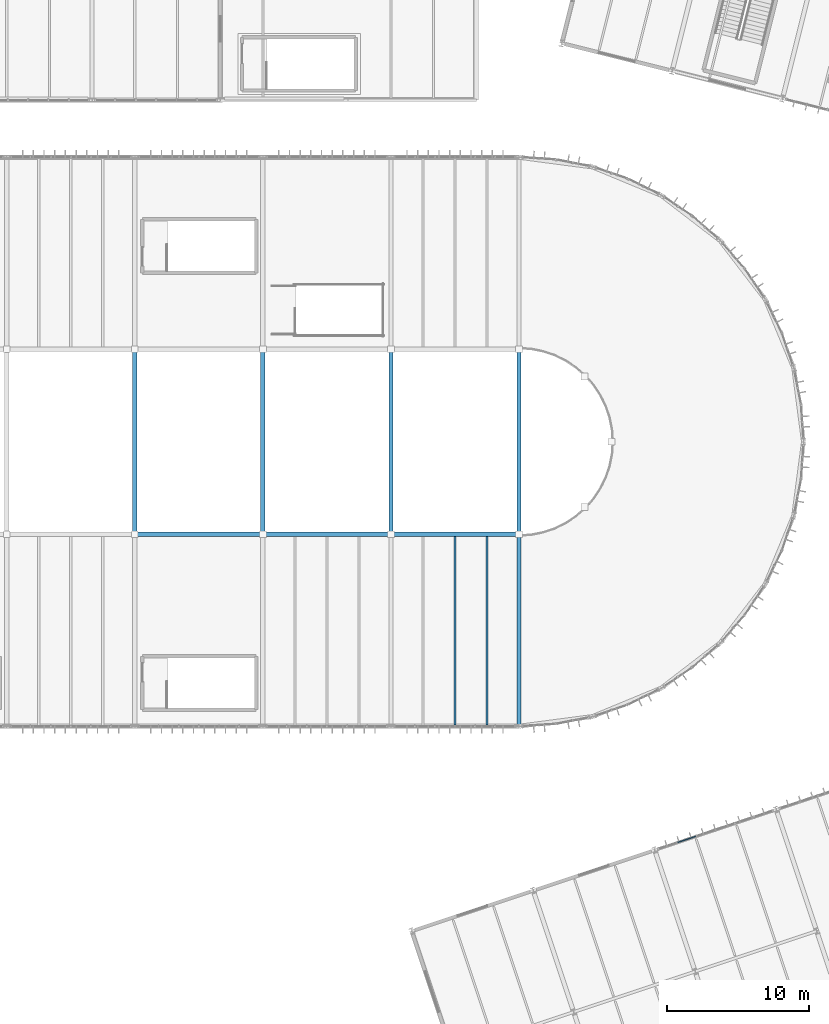
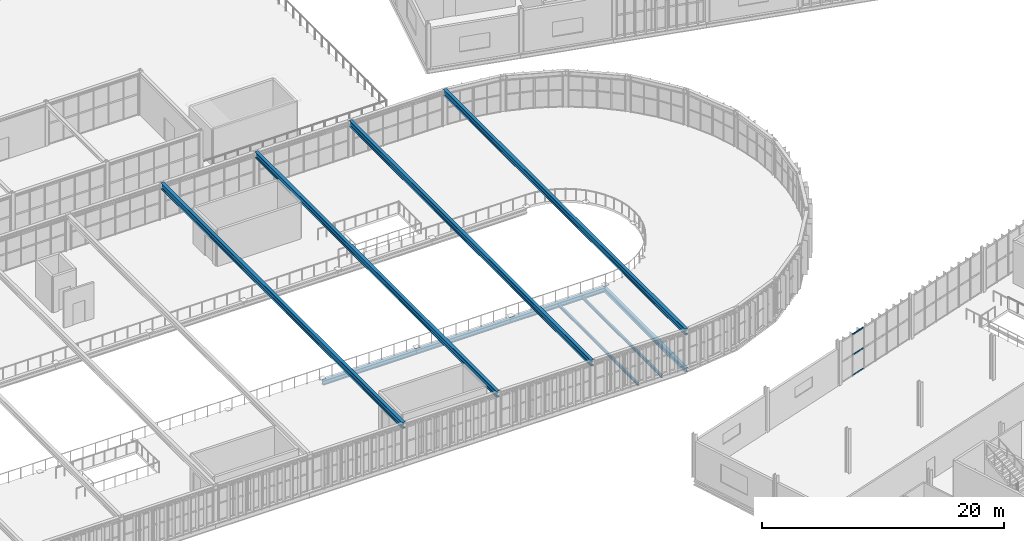
# One storey, part 43 of 152: 10 beams, 3 members, 1 element without a shape of its own.
"""IFC4 building model written with IfcOpenShell, lengths in metres."""

from ifc_helpers import new_model, si_unit, derived_unit, direction, frame, origin, origin_2d, place, context, subcontext, project, spatial, hollow_rectangle, i_section, extrude, material, material_profile, profile_set, type_object, element, aggregate, save


model = new_model("IFC4")

# Units and contexts
model_context = context("Model", 3, precision=1e-05, world=origin(), true_north=direction((0.0, 1.0)))
body_context = subcontext(model_context, "Body", "Model", "MODEL_VIEW")
ifc_project = project(units=[si_unit("LENGTHUNIT", "METRE"), si_unit("AREAUNIT", "SQUARE_METRE"), si_unit("VOLUMEUNIT", "CUBIC_METRE"), si_unit("PLANEANGLEUNIT", "RADIAN"), si_unit("MASSUNIT", "GRAM", prefix="KILO"), si_unit("THERMODYNAMICTEMPERATUREUNIT", "KELVIN"), si_unit("TIMEUNIT", "SECOND"), derived_unit("THERMALTRANSMITTANCEUNIT", [(si_unit("MASSUNIT", "GRAM", prefix="KILO"), 1), (si_unit("THERMODYNAMICTEMPERATUREUNIT", "KELVIN"), -1), (si_unit("TIMEUNIT", "SECOND"), -3)])], contexts=[model_context])

# Site, building, storey
site_placement = place(None, origin())
site = spatial("IfcSite", under=ifc_project, at=site_placement, CompositionType="ELEMENT")
building_placement = place(site_placement, origin())
building = spatial("IfcBuilding", under=site, at=building_placement, Name="Cambertide Market Hall", CompositionType="ELEMENT")
storey_placement = place(building_placement, frame((0.0, 0.0, 5.39990234375)))
storey = spatial("IfcBuildingStorey", under=building, at=storey_placement, Name="L02", CompositionType="ELEMENT", Elevation=5.39990234375)

# Curtain wall, members
ifc_material_1 = material(Name="Marine Anodized Aluminium 6063-T6 AA25", Category="aluminium")
curtain_wall_type = type_object("IfcCurtainWallType", Name="Food Court Upper Glazed Facade", PredefinedType="USERDEFINED", material=ifc_material_1)
curtain_wall_placement = place(storey_placement, origin())
curtain_wall = element("IfcCurtainWall", 1, at=curtain_wall_placement, inside=storey, type_object=curtain_wall_type, Name="Level 2 Curtain Wall CW-V3N-L02-3", ObjectType="UNITIZED CURTAIN WALL", PredefinedType="USERDEFINED")
ifc_material_2 = material(Name="Champagne Marine Anodized Aluminium 6063-T6 AA25", Category="aluminium")
ifc_material_profile_1 = material_profile(ifc_material_2, hollow_rectangle(XDim=0.06494140625, YDim=0.139892578125, WallThickness=0.00341796875, at=origin_2d()), Name="ALU TRANSOM 65x140")
ifc_profile_set_1 = profile_set([ifc_material_profile_1], Name="Champagne Marine Anodized Aluminium 6063-T6 AA25")
member_type = type_object("IfcMemberType", Name="Curtain Wall Transom ALU TRANSOM 65x140", PredefinedType="USERDEFINED", material=ifc_profile_set_1)
member_1_placement = place(storey_placement, frame((116.15087890625, 43.84423828125, 0.03515625), z_axis=(0.948719731918, 0.316118443418, 0.0), x_axis=(-0.316118443418, 0.948719731918, 0.0)))
member_1 = element("IfcMember", 2, at=member_1_placement, type_object=member_type, Name="CW-V3N-L02-3 Transom 1-2", ObjectType="TRANSOM", PredefinedType="USERDEFINED", context=body_context, shape_type="SweptSolid", body=[
    extrude(hollow_rectangle(XDim=0.06494140625, YDim=0.139892578125, WallThickness=0.00341796875, at=origin_2d()), origin(), (0.0, 0.0, 1.0), 1.33984375),
])
member_2_placement = place(storey_placement, frame((116.15087890625, 43.84423828125, 2.10009765625), z_axis=(0.948719731918, 0.316118443418, 0.0), x_axis=(-0.316118443418, 0.948719731918, 0.0)))
member_2 = element("IfcMember", 3, at=member_2_placement, type_object=member_type, Name="CW-V3N-L02-3 Transom 2-2", ObjectType="TRANSOM", PredefinedType="USERDEFINED", context=body_context, shape_type="SweptSolid", body=[
    extrude(hollow_rectangle(XDim=0.06494140625, YDim=0.139892578125, WallThickness=0.00341796875, at=origin_2d()), origin(), (0.0, 0.0, 1.0), 1.33984375),
])
member_3_placement = place(storey_placement, frame((116.15087890625, 43.84423828125, 4.1650390625), z_axis=(0.948719731918, 0.316118443418, 0.0), x_axis=(-0.316118443418, 0.948719731918, 0.0)))
member_3 = element("IfcMember", 4, at=member_3_placement, type_object=member_type, Name="CW-V3N-L02-3 Transom 3-2", ObjectType="TRANSOM", PredefinedType="USERDEFINED", context=body_context, shape_type="SweptSolid", body=[
    extrude(hollow_rectangle(XDim=0.06494140625, YDim=0.139892578125, WallThickness=0.00341796875, at=origin_2d()), origin(), (0.0, 0.0, 1.0), 1.33984375),
])
aggregate(curtain_wall, [member_1, member_2, member_3])

# Beams
ifc_material_3 = material(Name="Steel S355", Category="steel")
ifc_material_profile_2 = material_profile(ifc_material_3, i_section(OverallWidth=0.300048828125, OverallDepth=0.449951171875, WebThickness=0.013916015625, FlangeThickness=0.02587890625, FilletRadius=0.027099609375, at=origin_2d()), Name="HEB 450")
ifc_profile_set_2 = profile_set([ifc_material_profile_2], Name="Steel S355")
beam_type_1 = type_object("IfcBeamType", Name="Steel Girder HEB 450", PredefinedType="BEAM", material=ifc_profile_set_2)
for number, where, z_axis, x_axis, name in (
    (5, (78.0, 65.5, -0.46484375), (1.0, 0.0, 0.0), (0.0, 1.0, 0.0), "Level 2 Beam BM-V1MS-L02-5"),
    (6, (87.0, 65.5, -0.46484375), (1.0, 0.0, 0.0), (0.0, 1.0, 0.0), "Level 2 Beam BM-V1MS-L02-6"),
    (7, (96.0, 65.5, -0.46484375), (1.0, 0.0, 0.0), (0.0, 1.0, 0.0), "Level 2 Beam BM-V1MS-L02-7"),
):
    element("IfcBeam", number, at=place(storey_placement, frame(where, z_axis=z_axis, x_axis=x_axis)), inside=storey, type_object=beam_type_1, Name=name, PredefinedType="BEAM", context=body_context, shape_type="SweptSolid", body=[
        extrude(i_section(OverallWidth=0.300048828125, OverallDepth=0.449951171875, WebThickness=0.013916015625, FlangeThickness=0.02587890625, FilletRadius=0.027099609375, at=origin_2d()), origin(), (0.0, 0.0, 1.0), 9.0),
    ])
beam_placement = place(storey_placement, frame((105.0, 52.0, -0.46484375), z_axis=(0.0, 1.0, 0.0), x_axis=(-1.0, 0.0, 0.0)))
element("IfcBeam", 8, at=beam_placement, inside=storey, type_object=beam_type_1, Name="Level 2 Beam BM-V1TS-L02-8", PredefinedType="BEAM", context=body_context, shape_type="SweptSolid", body=[
    extrude(i_section(OverallWidth=0.300048828125, OverallDepth=0.449951171875, WebThickness=0.013916015625, FlangeThickness=0.02587890625, FilletRadius=0.027099609375, at=origin_2d()), origin(), (0.0, 0.0, 1.0), 13.5),
])
ifc_material_4 = material(Name="Steel S355", Category="steel")
ifc_material_profile_3 = material_profile(ifc_material_4, i_section(OverallWidth=0.300048828125, OverallDepth=0.60009765625, WebThickness=0.015380859375, FlangeThickness=0.030029296875, FilletRadius=0.027099609375, at=origin_2d()), Name="HEB 600")
ifc_profile_set_3 = profile_set([ifc_material_profile_3], Name="Steel S355")
beam_type_2 = type_object("IfcBeamType", Name="Steel Girder HEB 600", PredefinedType="BEAM", material=ifc_profile_set_3)
for number, where, z_axis, x_axis, name in (
    (9, (78.0, 52.0, 3.400146484375), (0.0, 1.0, 0.0), (-1.0, 0.0, 0.0), "Level 2 Beam TR-TIE-5"),
    (10, (87.0, 52.0, 3.400146484375), (0.0, 1.0, 0.0), (-1.0, 0.0, 0.0), "Level 2 Beam TR-TIE-6"),
    (11, (96.0, 52.0, 3.400146484375), (0.0, 1.0, 0.0), (-1.0, 0.0, 0.0), "Level 2 Beam TR-TIE-7"),
    (12, (105.0, 52.0, 3.400146484375), (0.0, 1.0, 0.0), (-1.0, 0.0, 0.0), "Level 2 Beam TR-TIE-8"),
):
    element("IfcBeam", number, at=place(storey_placement, frame(where, z_axis=z_axis, x_axis=x_axis)), inside=storey, type_object=beam_type_2, Name=name, PredefinedType="BEAM", context=body_context, shape_type="SweptSolid", body=[
        extrude(i_section(OverallWidth=0.300048828125, OverallDepth=0.60009765625, WebThickness=0.015380859375, FlangeThickness=0.030029296875, FilletRadius=0.027099609375, at=origin_2d()), origin(), (0.0, 0.0, 1.0), 40.0),
    ])
ifc_material_5 = material(Name="Steel S275", Category="steel")
ifc_material_profile_4 = material_profile(ifc_material_5, i_section(OverallWidth=0.14990234375, OverallDepth=0.300048828125, WebThickness=0.007080078125, FlangeThickness=0.0107421875, FilletRadius=0.014892578125, at=origin_2d()), Name="IPE 300")
ifc_profile_set_4 = profile_set([ifc_material_profile_4], Name="Steel S275")
beam_type_3 = type_object("IfcBeamType", Name="Steel Secondary Joist IPE 300", PredefinedType="JOIST", material=ifc_profile_set_4)
for number, where, z_axis, x_axis, name in (
    (13, (100.5, 52.10791015625, -0.389892578125), (0.0, 1.0, 0.0), (-1.0, 0.0, 0.0), "Level 2 Joist JS-V1S-L02-7-2"),
    (14, (102.75, 52.10791015625, -0.389892578125), (0.0, 1.0, 0.0), (-1.0, 0.0, 0.0), "Level 2 Joist JS-V1S-L02-7-3"),
):
    element("IfcBeam", number, at=place(storey_placement, frame(where, z_axis=z_axis, x_axis=x_axis)), inside=storey, type_object=beam_type_3, Name=name, PredefinedType="JOIST", context=body_context, shape_type="SweptSolid", body=[
        extrude(i_section(OverallWidth=0.14990234375, OverallDepth=0.300048828125, WebThickness=0.007080078125, FlangeThickness=0.0107421875, FilletRadius=0.014892578125, at=origin_2d()), origin(), (0.0, 0.0, 1.0), 13.234130859375),
    ])

save(model, "model.ifc")
